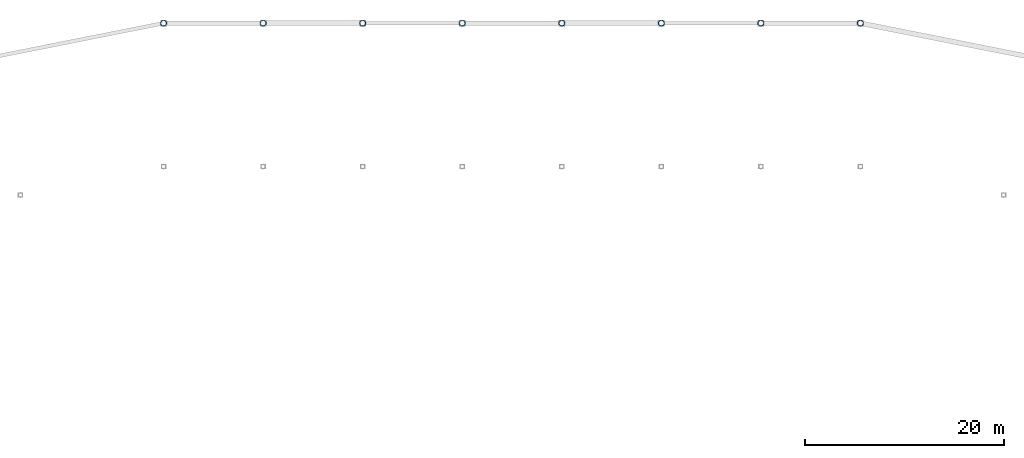
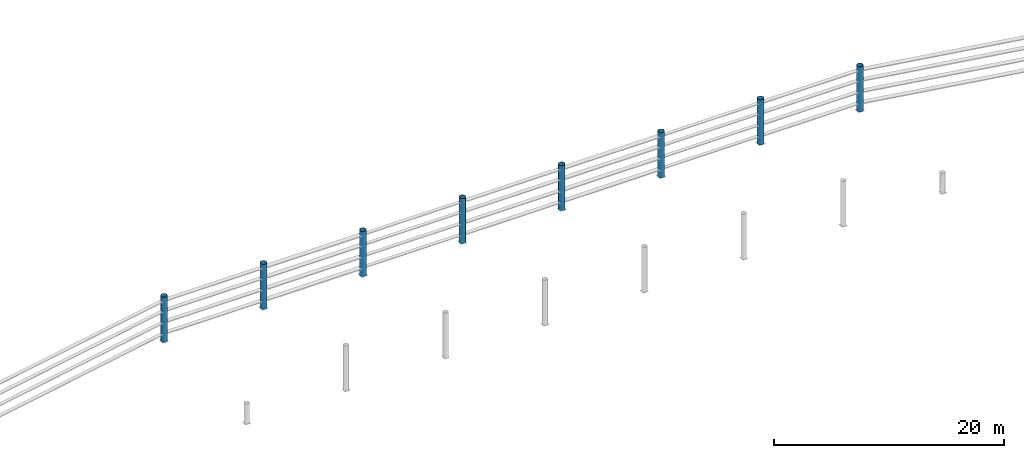
# One storey, part 15 of 29: 8 columns.
"""IFC4 building model written with IfcOpenShell, lengths in metres."""

from ifc_helpers import new_model, si_unit, direction, frame, origin, origin_2d, place, context, subcontext, project, spatial, hollow_circle, extrude, material, material_profile, profile_set, type_object, element, save


model = new_model("IFC4")

# Units and contexts
model_context = context("Model", 3, precision=1e-05, world=origin(), true_north=direction((0.0, 1.0)))
body_context = subcontext(model_context, "Body", "Model", "MODEL_VIEW")
ifc_project = project(units=[si_unit("LENGTHUNIT", "METRE"), si_unit("AREAUNIT", "SQUARE_METRE"), si_unit("VOLUMEUNIT", "CUBIC_METRE"), si_unit("PLANEANGLEUNIT", "RADIAN"), si_unit("MASSUNIT", "GRAM", prefix="KILO")], contexts=[model_context])

# Site, building, storey
site_placement = place(None, origin())
site = spatial("IfcSite", under=ifc_project, at=site_placement, CompositionType="ELEMENT")
building_placement = place(site_placement, origin())
building = spatial("IfcBuilding", under=site, at=building_placement, Name="Candeia Ridge Stadium", CompositionType="ELEMENT")
storey_placement = place(building_placement, frame((0.0, 0.0, 27.0)))
storey = spatial("IfcBuildingStorey", under=building, at=storey_placement, Name="L05", CompositionType="ELEMENT", Elevation=27.0)

# Columns
ifc_material = material(Name="Steel ASTM A572 Grade 50", Category="steel")
ifc_material_profile = material_profile(ifc_material, hollow_circle(Radius=0.304931640625, WallThickness=0.02490234375, at=origin_2d()), Name="CHS610x25", Category="steel")
ifc_profile_set = profile_set([ifc_material_profile], Name="Steel ASTM A572 Grade 50")
column_type = type_object("IfcColumnType", Name="Roof Mast Column CHS610x25", PredefinedType="PILASTER", material=ifc_profile_set)
for number, where, z_axis, x_axis, name in (
    (1, (141.0, 147.0, 0.0), (0.0, 0.0, 1.0), (1.0, 0.0, 0.0), "Roof truss steel mast column BC-OU-00 L05"),
    (2, (131.0, 147.0, 0.0), (0.0, 0.0, 1.0), (1.0, 0.0, 0.0), "Roof truss steel mast column BC-OU-01 L05"),
    (3, (121.0, 147.0, 0.0), (0.0, 0.0, 1.0), (1.0, 0.0, 0.0), "Roof truss steel mast column BC-OU-02 L05"),
    (4, (111.0, 147.0, 0.0), (0.0, 0.0, 1.0), (1.0, 0.0, 0.0), "Roof truss steel mast column BC-OU-03 L05"),
    (5, (101.0, 147.0, 0.0), (0.0, 0.0, 1.0), (1.0, 0.0, 0.0), "Roof truss steel mast column BC-OU-04 L05"),
    (6, (91.0, 147.0, 0.0), (0.0, 0.0, 1.0), (1.0, 0.0, 0.0), "Roof truss steel mast column BC-OU-05 L05"),
    (7, (81.0, 147.0, 0.0), (0.0, 0.0, 1.0), (1.0, 0.0, 0.0), "Roof truss steel mast column BC-OU-06 L05"),
    (8, (71.0, 147.0, 0.0), (0.0, 0.0, 1.0), (1.0, 0.0, 0.0), "Roof truss steel mast column BC-OU-07 L05"),
):
    element("IfcColumn", number, at=place(storey_placement, frame(where, z_axis=z_axis, x_axis=x_axis)), inside=storey, type_object=column_type, Name=name, PredefinedType="PILASTER", context=body_context, shape_type="SweptSolid", body=[
        extrude(hollow_circle(Radius=0.304931640625, WallThickness=0.02490234375, at=origin_2d()), origin(), (0.0, 0.0, 1.0), 4.800048828125),
    ])

save(model, "model.ifc")
